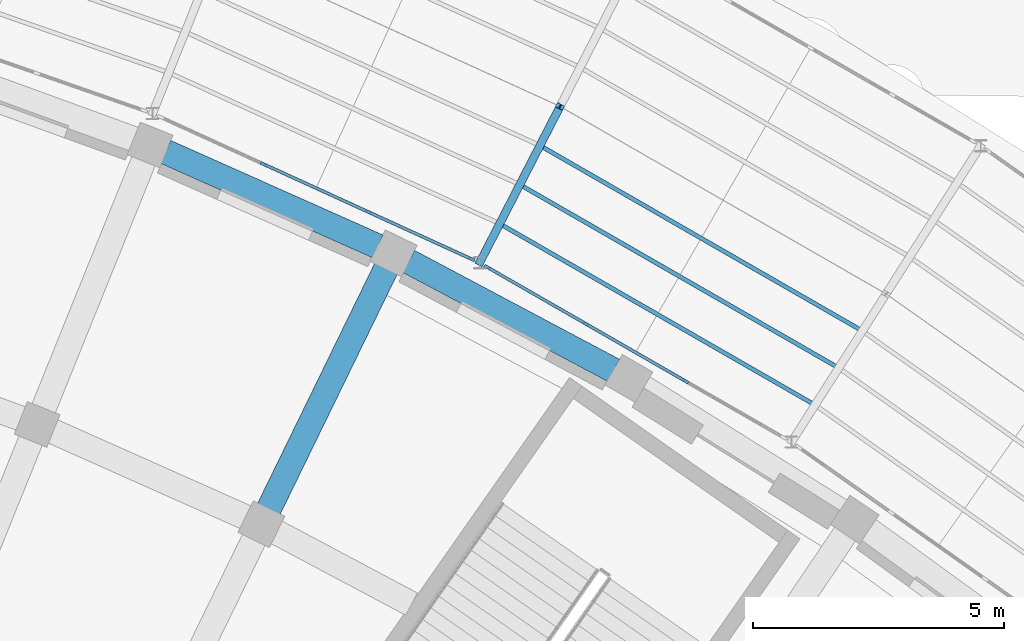
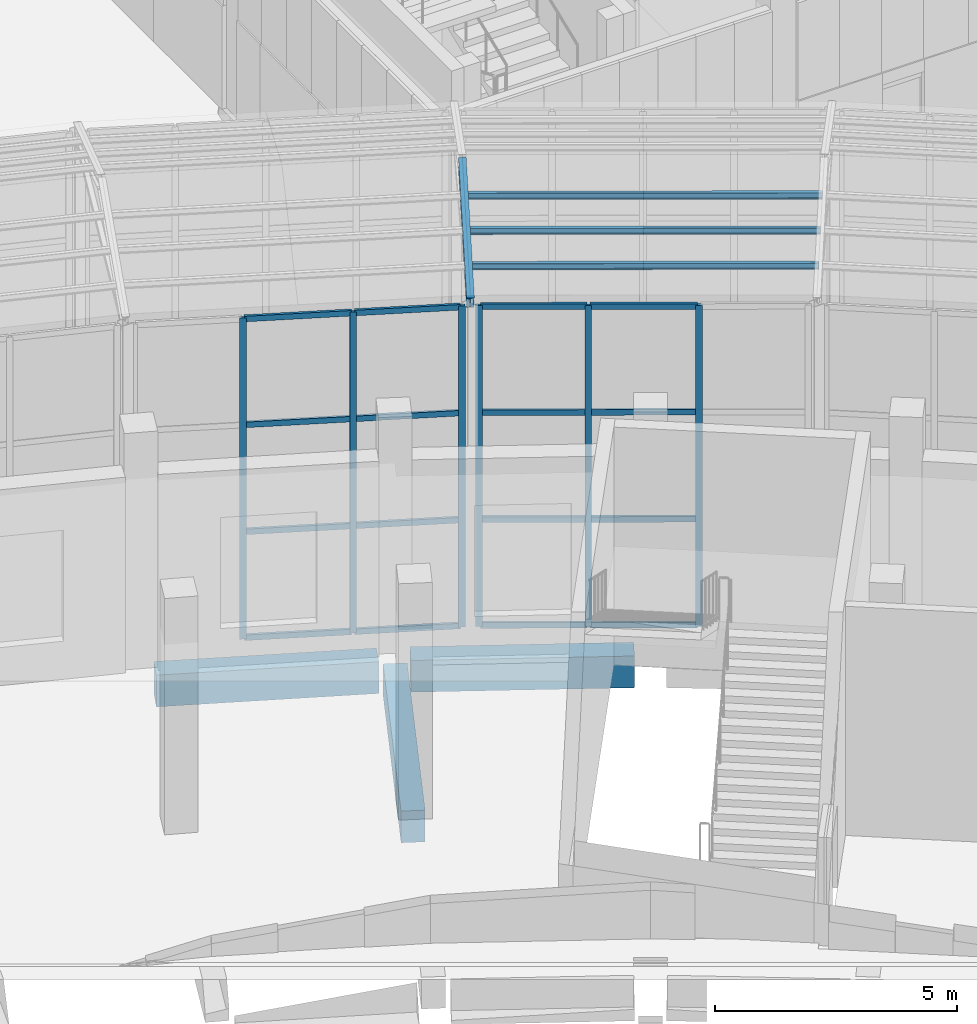
# One storey, part 35 of 155: 25 members, 4 beams, 2 elements without a shape of their own.
"""IFC4 building model written with IfcOpenShell, lengths in metres."""

from ifc_helpers import new_model, si_unit, direction, frame, origin, origin_2d, place, context, subcontext, project, spatial, rectangle, i_section, extrude, material, layer, layer_set, material_profile, profile_set, type_object, element, aggregate, save


model = new_model("IFC4")

# Units and contexts
model_context = context("Model", 3, precision=1e-05, world=origin(), true_north=direction((0.0, 1.0)))
body_context = subcontext(model_context, "Body", "Model", "MODEL_VIEW")
ifc_project = project(units=[si_unit("LENGTHUNIT", "METRE"), si_unit("AREAUNIT", "SQUARE_METRE"), si_unit("VOLUMEUNIT", "CUBIC_METRE"), si_unit("PLANEANGLEUNIT", "RADIAN"), si_unit("MASSUNIT", "GRAM", prefix="KILO")], contexts=[model_context])

# Site, building, storey
site_placement = place(None, origin())
site = spatial("IfcSite", under=ifc_project, at=site_placement, CompositionType="ELEMENT")
building_placement = place(site_placement, origin())
building = spatial("IfcBuilding", under=site, at=building_placement, Name="Lunette Opera House", CompositionType="ELEMENT")
storey_placement = place(building_placement, origin())
storey = spatial("IfcBuildingStorey", under=building, at=storey_placement, Name="L00", CompositionType="ELEMENT", Elevation=0.0)

# Curtain wall, members
ifc_material_1 = material(Name="Aluminium", Category="aluminium")
ifc_layer = layer(ifc_material_1, 0.139892578125)
ifc_layer_set = layer_set([ifc_layer], Name="Aluminium")
curtain_wall_type = type_object("IfcCurtainWallType", Name="PASSAGE CURTAIN WALL", PredefinedType="NOTDEFINED", material=ifc_layer_set)
curtain_wall_1_placement = place(storey_placement, origin())
curtain_wall_1 = element("IfcCurtainWall", 1, at=curtain_wall_1_placement, inside=storey, type_object=curtain_wall_type, Name="Passage Curtain Wall EI2 L00", PredefinedType="NOTDEFINED")
ifc_material_2 = material(Name="Aluminium", Category="aluminium")
ifc_material_profile_1 = material_profile(ifc_material_2, rectangle(XDim=0.06005859375, YDim=0.139892578125, at=origin_2d()), Name="MULLION 60 X 140")
ifc_profile_set_1 = profile_set([ifc_material_profile_1], Name="Aluminium")
member_type_1 = type_object("IfcMemberType", Name="MULLION 60 X 140", PredefinedType="MULLION", material=ifc_profile_set_1)
member_1_placement = place(storey_placement, frame((126.734375, 70.082275390625, 0.0), z_axis=(0.0, 0.0, 1.0), x_axis=(0.415273993958, 0.909696383384, 0.0)))
member_1 = element("IfcMember", 2, at=member_1_placement, type_object=member_type_1, Name="PP-X2002 mullion 2", PredefinedType="MULLION", context=body_context, shape_type="SweptSolid", body=[
    extrude(rectangle(XDim=0.06005859375, YDim=0.139892578125, at=origin_2d()), origin(), (0.0, 0.0, 1.0), 8.10009765625),
])
member_2_placement = place(storey_placement, frame((128.814697265625, 69.132568359375, 0.0), z_axis=(0.0, 0.0, 1.0), x_axis=(0.415273993958, 0.909696383384, 0.0)))
member_2 = element("IfcMember", 3, at=member_2_placement, type_object=member_type_1, Name="PP-X2002 mullion 3", PredefinedType="MULLION", context=body_context, shape_type="SweptSolid", body=[
    extrude(rectangle(XDim=0.06005859375, YDim=0.139892578125, at=origin_2d()), origin(), (0.0, 0.0, 1.0), 8.10009765625),
])
member_3_placement = place(storey_placement, frame((130.86767578125, 68.195556640625, 0.0), z_axis=(0.0, 0.0, 1.0), x_axis=(0.415273993958, 0.909696383384, 0.0)))
member_3 = element("IfcMember", 4, at=member_3_placement, type_object=member_type_1, Name="PP-X2002 mullion 4", PredefinedType="MULLION", context=body_context, shape_type="SweptSolid", body=[
    extrude(rectangle(XDim=0.06005859375, YDim=0.139892578125, at=origin_2d()), origin(), (0.0, 0.0, 1.0), 8.10009765625),
])

curtain_wall_2_placement = place(storey_placement, origin())
curtain_wall_2 = element("IfcCurtainWall", 5, at=curtain_wall_2_placement, inside=storey, type_object=curtain_wall_type, Name="Passage Curtain Wall EI3 L00", PredefinedType="NOTDEFINED")
member_4_placement = place(storey_placement, frame((131.18701171875, 68.031005859375, 0.0), z_axis=(0.0, 0.0, 1.0), x_axis=(0.498413606399, 0.866939373287, 0.0)))
member_4 = element("IfcMember", 6, at=member_4_placement, type_object=member_type_1, Name="PP-X2003 mullion 1", PredefinedType="MULLION", context=body_context, shape_type="SweptSolid", body=[
    extrude(rectangle(XDim=0.06005859375, YDim=0.139892578125, at=origin_2d()), origin(), (0.0, 0.0, 1.0), 8.10009765625),
])
member_5_placement = place(storey_placement, frame((133.143310546875, 66.90625, 0.0), z_axis=(0.0, 0.0, 1.0), x_axis=(0.498413606399, 0.866939373287, 0.0)))
member_5 = element("IfcMember", 7, at=member_5_placement, type_object=member_type_1, Name="PP-X2003 mullion 2", PredefinedType="MULLION", context=body_context, shape_type="SweptSolid", body=[
    extrude(rectangle(XDim=0.06005859375, YDim=0.139892578125, at=origin_2d()), origin(), (0.0, 0.0, 1.0), 8.10009765625),
])
member_6_placement = place(storey_placement, frame((135.125732421875, 65.7666015625, 0.0), z_axis=(0.0, 0.0, 1.0), x_axis=(0.498413606399, 0.866939373287, 0.0)))
member_6 = element("IfcMember", 8, at=member_6_placement, type_object=member_type_1, Name="PP-X2003 mullion 3", PredefinedType="MULLION", context=body_context, shape_type="SweptSolid", body=[
    extrude(rectangle(XDim=0.06005859375, YDim=0.139892578125, at=origin_2d()), origin(), (0.0, 0.0, 1.0), 8.10009765625),
])

# Members
ifc_material_3 = material(Name="Steel S355", Category="steel")
ifc_material_profile_2 = material_profile(ifc_material_3, i_section(OverallWidth=0.08203125, OverallDepth=0.159912109375, WebThickness=0.0048828125, FlangeThickness=0.00732421875, FilletRadius=0.009033203125, at=origin_2d()), Name="IPE 160")
ifc_profile_set_2 = profile_set([ifc_material_profile_2], Name="Steel S355")
member_type_2 = type_object("IfcMemberType", Name="PURLIN IPE 160", PredefinedType="PURLIN", material=ifc_profile_set_2)
member_7_placement = place(storey_placement, frame((131.430908203125, 68.89892578125, 8.47509765625), z_axis=(0.866908124047, -0.498467957307, 0.0), x_axis=(0.498467957307, 0.866908124047, 0.0)))
element("IfcMember", 9, at=member_7_placement, inside=storey, type_object=member_type_2, Name="mem-PP-L00-PU7A1", PredefinedType="PURLIN", context=body_context, shape_type="SweptSolid", body=[
    extrude(i_section(OverallWidth=0.08203125, OverallDepth=0.159912109375, WebThickness=0.0048828125, FlangeThickness=0.00732421875, FilletRadius=0.009033203125, at=origin_2d()), origin(), (0.0, 0.0, 1.0), 7.241943359375),
])
member_8_placement = place(storey_placement, frame((131.8310546875, 69.677001953125, 8.75), z_axis=(0.866947717773, -0.49839909174, 0.0), x_axis=(0.49839909174, 0.866947717773, 0.0)))
element("IfcMember", 10, at=member_8_placement, inside=storey, type_object=member_type_2, Name="mem-PP-L00-PU7A2", PredefinedType="PURLIN", context=body_context, shape_type="SweptSolid", body=[
    extrude(i_section(OverallWidth=0.08203125, OverallDepth=0.159912109375, WebThickness=0.0048828125, FlangeThickness=0.00732421875, FilletRadius=0.009033203125, at=origin_2d()), origin(), (0.0, 0.0, 1.0), 7.3232421875),
])
member_9_placement = place(storey_placement, frame((132.23095703125, 70.455078125, 9.02490234375), z_axis=(0.866923398152, -0.49844139248, 0.0), x_axis=(0.49844139248, 0.866923398152, 0.0)))
element("IfcMember", 11, at=member_9_placement, inside=storey, type_object=member_type_2, Name="mem-PP-L00-PU7A3", PredefinedType="PURLIN", context=body_context, shape_type="SweptSolid", body=[
    extrude(i_section(OverallWidth=0.08203125, OverallDepth=0.159912109375, WebThickness=0.0048828125, FlangeThickness=0.00732421875, FilletRadius=0.009033203125, at=origin_2d()), origin(), (0.0, 0.0, 1.0), 7.405517578125),
])

# Beams
ifc_material_4 = material(Name="Concrete C35/45", Category="concrete")
ifc_material_profile_3 = material_profile(ifc_material_4, rectangle(XDim=0.5, YDim=0.800048828125, at=origin_2d()), Name="RC BEAM 500X800")
ifc_profile_set_3 = profile_set([ifc_material_profile_3], Name="Concrete C35/45")
beam_type_1 = type_object("IfcBeamType", Name="RC BEAM 500X800", PredefinedType="BEAM", material=ifc_profile_set_3)
beam_1_placement = place(storey_placement, frame((126.8349609375, 63.220947265625, -0.6201171875), z_axis=(0.438325987036, 0.898816070778, 0.0), x_axis=(-0.898816070778, 0.438325987036, 0.0)))
element("IfcBeam", 12, at=beam_1_placement, inside=storey, type_object=beam_type_1, Name="beam-FC-L00-L00-RB-RL-20-4", PredefinedType="BEAM", context=body_context, shape_type="SweptSolid", body=[
    extrude(rectangle(XDim=0.5, YDim=0.800048828125, at=origin_2d()), origin(), (0.0, 0.0, 1.0), 5.3203125),
])
beam_2_placement = place(storey_placement, frame((124.781005859375, 70.327880859375, -0.6201171875), z_axis=(0.913445407315, -0.406961285451, 0.0), x_axis=(0.406961285451, 0.913445407315, 0.0)))
element("IfcBeam", 13, at=beam_2_placement, inside=storey, type_object=beam_type_1, Name="beam-FC-L00-L00-RG-AR-C-RL-19", PredefinedType="BEAM", context=body_context, shape_type="SweptSolid", body=[
    extrude(rectangle(XDim=0.5, YDim=0.800048828125, at=origin_2d()), origin(), (0.0, 0.0, 1.0), 4.6240234375),
])
beam_3_placement = place(storey_placement, frame((129.615966796875, 68.14794921875, -0.6201171875), z_axis=(0.883088377591, -0.469206689385, 0.0), x_axis=(0.469206689385, 0.883088377591, 0.0)))
element("IfcBeam", 14, at=beam_3_placement, inside=storey, type_object=beam_type_1, Name="beam-FC-L00-L00-RG-AR-C-RL-20", PredefinedType="BEAM", context=body_context, shape_type="SweptSolid", body=[
    extrude(rectangle(XDim=0.5, YDim=0.800048828125, at=origin_2d()), origin(), (0.0, 0.0, 1.0), 4.624755859375),
])
ifc_material_5 = material(Name="Steel S355", Category="steel")
ifc_material_profile_4 = material_profile(ifc_material_5, i_section(OverallWidth=0.159912109375, OverallDepth=0.330078125, WebThickness=0.007568359375, FlangeThickness=0.011474609375, FilletRadius=0.01806640625, at=origin_2d()), Name="IPE 330")
ifc_profile_set_4 = profile_set([ifc_material_profile_4], Name="Steel S355")
beam_type_2 = type_object("IfcBeamType", Name="STEEL BEAM IPE 330", PredefinedType="BEAM", material=ifc_profile_set_4)
beam_4_placement = place(storey_placement, frame((131.031005859375, 68.12109375, 8.14990234375), z_axis=(0.436451964907, 0.848279467017, 0.299886025293), x_axis=(-0.889205098488, 0.457508789886, 0.0)))
element("IfcBeam", 15, at=beam_4_placement, inside=storey, type_object=beam_type_2, Name="beam-PP-L00-RF7A", PredefinedType="BEAM", context=body_context, shape_type="SweptSolid", body=[
    extrude(i_section(OverallWidth=0.159912109375, OverallDepth=0.330078125, WebThickness=0.007568359375, FlangeThickness=0.011474609375, FilletRadius=0.01806640625, at=origin_2d()), origin(), (0.0, 0.0, 1.0), 3.66845703125),
])

# Member
ifc_material_6 = material(Name="Aluminium", Category="aluminium")
ifc_material_profile_5 = material_profile(ifc_material_6, rectangle(XDim=0.06005859375, YDim=0.139892578125, at=origin_2d()), Name="TRANSOM 60 X 140")
ifc_profile_set_5 = profile_set([ifc_material_profile_5], Name="Aluminium")
member_type_3 = type_object("IfcMemberType", Name="TRANSOM 60 X 140", PredefinedType="USERDEFINED", material=ifc_profile_set_5)
member_10_placement = place(storey_placement, frame((126.76171875, 70.06982421875, 0.030029296875), z_axis=(0.909678098754, -0.41531404581, 0.0), x_axis=(0.41531404581, 0.909678098754, 0.0)))
member_10 = element("IfcMember", 16, at=member_10_placement, type_object=member_type_3, Name="PP-X2002 transom 2.1", ObjectType="TRANSOM", PredefinedType="USERDEFINED", context=body_context, shape_type="SweptSolid", body=[
    extrude(rectangle(XDim=0.06005859375, YDim=0.139892578125, at=origin_2d()), origin(), (0.0, 0.0, 1.0), 2.226806640625),
])

member_11_placement = place(storey_placement, frame((126.76171875, 70.06982421875, 2.699951171875), z_axis=(0.909678098754, -0.41531404581, 0.0), x_axis=(0.41531404581, 0.909678098754, 0.0)))
member_11 = element("IfcMember", 17, at=member_11_placement, type_object=member_type_3, Name="PP-X2002 transom 2.2", ObjectType="TRANSOM", PredefinedType="USERDEFINED", context=body_context, shape_type="SweptSolid", body=[
    extrude(rectangle(XDim=0.06005859375, YDim=0.139892578125, at=origin_2d()), origin(), (0.0, 0.0, 1.0), 2.226806640625),
])

member_12_placement = place(storey_placement, frame((126.76171875, 70.06982421875, 5.39990234375), z_axis=(0.909678098754, -0.41531404581, 0.0), x_axis=(0.41531404581, 0.909678098754, 0.0)))
member_12 = element("IfcMember", 18, at=member_12_placement, type_object=member_type_3, Name="PP-X2002 transom 2.3", ObjectType="TRANSOM", PredefinedType="USERDEFINED", context=body_context, shape_type="SweptSolid", body=[
    extrude(rectangle(XDim=0.06005859375, YDim=0.139892578125, at=origin_2d()), origin(), (0.0, 0.0, 1.0), 2.226806640625),
])

member_13_placement = place(storey_placement, frame((126.76171875, 70.06982421875, 8.070068359375), z_axis=(0.909678098754, -0.41531404581, 0.0), x_axis=(0.41531404581, 0.909678098754, 0.0)))
member_13 = element("IfcMember", 19, at=member_13_placement, type_object=member_type_3, Name="PP-X2002 transom 2.4", ObjectType="TRANSOM", PredefinedType="USERDEFINED", context=body_context, shape_type="SweptSolid", body=[
    extrude(rectangle(XDim=0.06005859375, YDim=0.139892578125, at=origin_2d()), origin(), (0.0, 0.0, 1.0), 2.226806640625),
])

member_14_placement = place(storey_placement, frame((128.842041015625, 69.1201171875, 0.030029296875), z_axis=(0.909714473176, -0.415234364299, 0.0), x_axis=(0.415234364299, 0.909714473176, 0.0)))
member_14 = element("IfcMember", 20, at=member_14_placement, type_object=member_type_3, Name="PP-X2002 transom 3.1", ObjectType="TRANSOM", PredefinedType="USERDEFINED", context=body_context, shape_type="SweptSolid", body=[
    extrude(rectangle(XDim=0.06005859375, YDim=0.139892578125, at=origin_2d()), origin(), (0.0, 0.0, 1.0), 2.196533203125),
])

member_15_placement = place(storey_placement, frame((128.842041015625, 69.1201171875, 2.699951171875), z_axis=(0.909714473176, -0.415234364299, 0.0), x_axis=(0.415234364299, 0.909714473176, 0.0)))
member_15 = element("IfcMember", 21, at=member_15_placement, type_object=member_type_3, Name="PP-X2002 transom 3.2", ObjectType="TRANSOM", PredefinedType="USERDEFINED", context=body_context, shape_type="SweptSolid", body=[
    extrude(rectangle(XDim=0.06005859375, YDim=0.139892578125, at=origin_2d()), origin(), (0.0, 0.0, 1.0), 2.196533203125),
])

member_16_placement = place(storey_placement, frame((128.842041015625, 69.1201171875, 5.39990234375), z_axis=(0.909714473176, -0.415234364299, 0.0), x_axis=(0.415234364299, 0.909714473176, 0.0)))
member_16 = element("IfcMember", 22, at=member_16_placement, type_object=member_type_3, Name="PP-X2002 transom 3.3", ObjectType="TRANSOM", PredefinedType="USERDEFINED", context=body_context, shape_type="SweptSolid", body=[
    extrude(rectangle(XDim=0.06005859375, YDim=0.139892578125, at=origin_2d()), origin(), (0.0, 0.0, 1.0), 2.196533203125),
])

member_17_placement = place(storey_placement, frame((128.842041015625, 69.1201171875, 8.070068359375), z_axis=(0.909714473176, -0.415234364299, 0.0), x_axis=(0.415234364299, 0.909714473176, 0.0)))
member_17 = element("IfcMember", 23, at=member_17_placement, type_object=member_type_3, Name="PP-X2002 transom 3.4", ObjectType="TRANSOM", PredefinedType="USERDEFINED", context=body_context, shape_type="SweptSolid", body=[
    extrude(rectangle(XDim=0.06005859375, YDim=0.139892578125, at=origin_2d()), origin(), (0.0, 0.0, 1.0), 2.196533203125),
])

aggregate(curtain_wall_1, [member_1, member_2, member_3, member_10, member_11, member_12, member_13, member_14, member_15, member_16, member_17])

member_18_placement = place(storey_placement, frame((131.213134765625, 68.01611328125, 0.030029296875), z_axis=(0.866954329166, -0.498387591279, 0.0), x_axis=(0.498387591279, 0.866954329166, 0.0)))
member_18 = element("IfcMember", 24, at=member_18_placement, type_object=member_type_3, Name="PP-X2003 transom 1.1", ObjectType="TRANSOM", PredefinedType="USERDEFINED", context=body_context, shape_type="SweptSolid", body=[
    extrude(rectangle(XDim=0.06005859375, YDim=0.139892578125, at=origin_2d()), origin(), (0.0, 0.0, 1.0), 2.196533203125),
])

member_19_placement = place(storey_placement, frame((131.213134765625, 68.01611328125, 2.699951171875), z_axis=(0.866954329166, -0.498387591279, 0.0), x_axis=(0.498387591279, 0.866954329166, 0.0)))
member_19 = element("IfcMember", 25, at=member_19_placement, type_object=member_type_3, Name="PP-X2003 transom 1.2", ObjectType="TRANSOM", PredefinedType="USERDEFINED", context=body_context, shape_type="SweptSolid", body=[
    extrude(rectangle(XDim=0.06005859375, YDim=0.139892578125, at=origin_2d()), origin(), (0.0, 0.0, 1.0), 2.196533203125),
])

member_20_placement = place(storey_placement, frame((131.213134765625, 68.01611328125, 5.39990234375), z_axis=(0.866954329166, -0.498387591279, 0.0), x_axis=(0.498387591279, 0.866954329166, 0.0)))
member_20 = element("IfcMember", 26, at=member_20_placement, type_object=member_type_3, Name="PP-X2003 transom 1.3", ObjectType="TRANSOM", PredefinedType="USERDEFINED", context=body_context, shape_type="SweptSolid", body=[
    extrude(rectangle(XDim=0.06005859375, YDim=0.139892578125, at=origin_2d()), origin(), (0.0, 0.0, 1.0), 2.196533203125),
])

member_21_placement = place(storey_placement, frame((131.213134765625, 68.01611328125, 8.070068359375), z_axis=(0.866954329166, -0.498387591279, 0.0), x_axis=(0.498387591279, 0.866954329166, 0.0)))
member_21 = element("IfcMember", 27, at=member_21_placement, type_object=member_type_3, Name="PP-X2003 transom 1.4", ObjectType="TRANSOM", PredefinedType="USERDEFINED", context=body_context, shape_type="SweptSolid", body=[
    extrude(rectangle(XDim=0.06005859375, YDim=0.139892578125, at=origin_2d()), origin(), (0.0, 0.0, 1.0), 2.196533203125),
])

member_22_placement = place(storey_placement, frame((133.16943359375, 66.891357421875, 0.030029296875), z_axis=(0.866951316224, -0.498392832309, 0.0), x_axis=(0.498392832309, 0.866951316224, 0.0)))
member_22 = element("IfcMember", 28, at=member_22_placement, type_object=member_type_3, Name="PP-X2003 transom 2.1", ObjectType="TRANSOM", PredefinedType="USERDEFINED", context=body_context, shape_type="SweptSolid", body=[
    extrude(rectangle(XDim=0.06005859375, YDim=0.139892578125, at=origin_2d()), origin(), (0.0, 0.0, 1.0), 2.226318359375),
])

member_23_placement = place(storey_placement, frame((133.16943359375, 66.891357421875, 2.699951171875), z_axis=(0.866951316224, -0.498392832309, 0.0), x_axis=(0.498392832309, 0.866951316224, 0.0)))
member_23 = element("IfcMember", 29, at=member_23_placement, type_object=member_type_3, Name="PP-X2003 transom 2.2", ObjectType="TRANSOM", PredefinedType="USERDEFINED", context=body_context, shape_type="SweptSolid", body=[
    extrude(rectangle(XDim=0.06005859375, YDim=0.139892578125, at=origin_2d()), origin(), (0.0, 0.0, 1.0), 2.226318359375),
])

member_24_placement = place(storey_placement, frame((133.16943359375, 66.891357421875, 5.39990234375), z_axis=(0.866951316224, -0.498392832309, 0.0), x_axis=(0.498392832309, 0.866951316224, 0.0)))
member_24 = element("IfcMember", 30, at=member_24_placement, type_object=member_type_3, Name="PP-X2003 transom 2.3", ObjectType="TRANSOM", PredefinedType="USERDEFINED", context=body_context, shape_type="SweptSolid", body=[
    extrude(rectangle(XDim=0.06005859375, YDim=0.139892578125, at=origin_2d()), origin(), (0.0, 0.0, 1.0), 2.226318359375),
])

member_25_placement = place(storey_placement, frame((133.16943359375, 66.891357421875, 8.070068359375), z_axis=(0.866951316224, -0.498392832309, 0.0), x_axis=(0.498392832309, 0.866951316224, 0.0)))
member_25 = element("IfcMember", 31, at=member_25_placement, type_object=member_type_3, Name="PP-X2003 transom 2.4", ObjectType="TRANSOM", PredefinedType="USERDEFINED", context=body_context, shape_type="SweptSolid", body=[
    extrude(rectangle(XDim=0.06005859375, YDim=0.139892578125, at=origin_2d()), origin(), (0.0, 0.0, 1.0), 2.226318359375),
])

aggregate(curtain_wall_2, [member_4, member_5, member_6, member_18, member_19, member_20, member_21, member_22, member_23, member_24, member_25])

save(model, "model.ifc")
